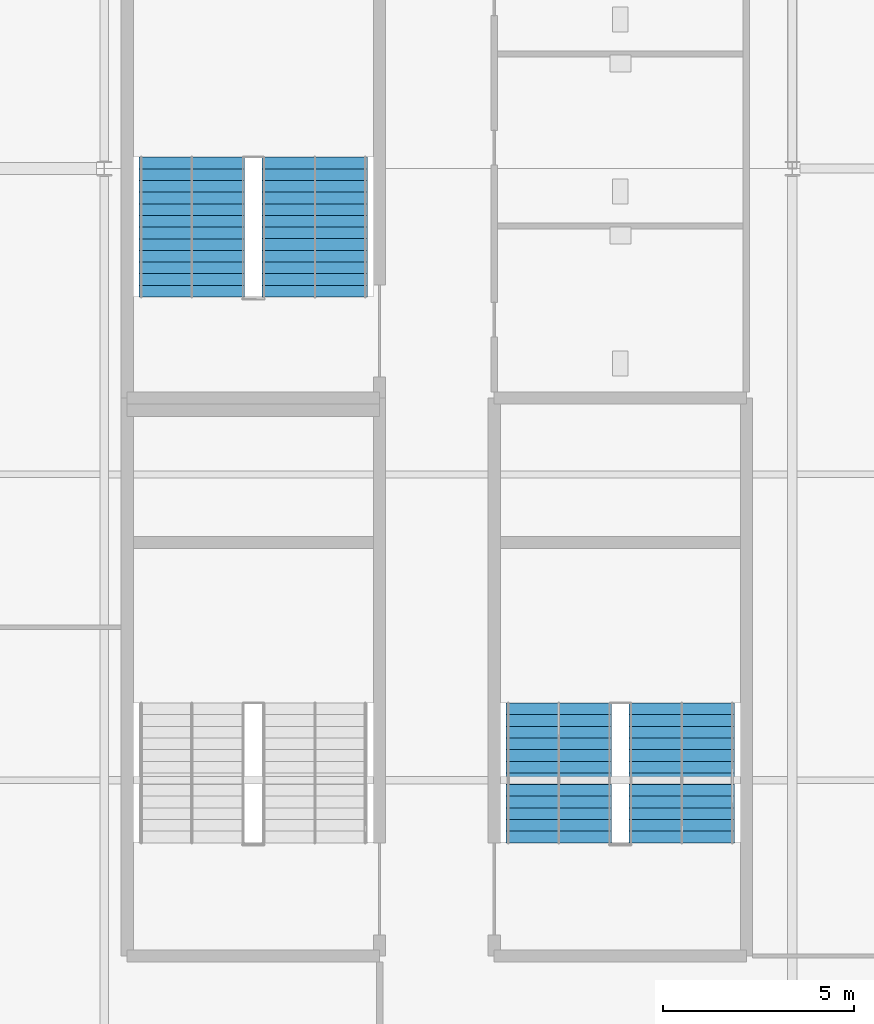
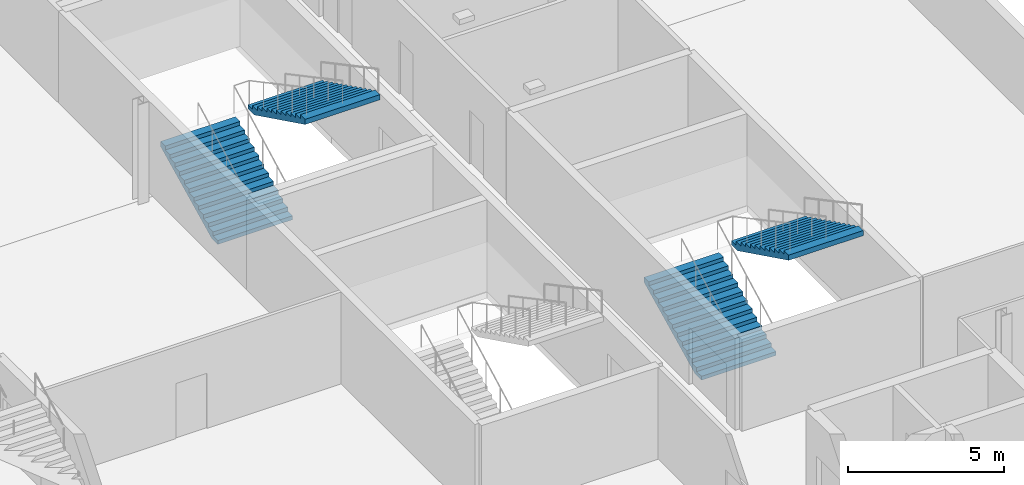
# One storey, part 94 of 105: 4 stair flights, 2 elements without a shape of their own.
"""IFC4 building model written with IfcOpenShell, lengths in metres."""

from ifc_helpers import new_model, si_unit, direction, frame, origin, place, context, subcontext, project, spatial, polygons, material, type_object, element, aggregate, save


model = new_model("IFC4")

# Units and contexts
model_context = context("Model", 3, precision=1e-05, world=origin(), true_north=direction((0.0, 1.0)))
body_context = subcontext(model_context, "Body", "Model", "MODEL_VIEW")
ifc_project = project(units=[si_unit("LENGTHUNIT", "METRE"), si_unit("AREAUNIT", "SQUARE_METRE"), si_unit("VOLUMEUNIT", "CUBIC_METRE"), si_unit("PLANEANGLEUNIT", "RADIAN"), si_unit("MASSUNIT", "GRAM", prefix="KILO")], contexts=[model_context])

# Site, building, storey
site_placement = place(None, origin())
site = spatial("IfcSite", under=ifc_project, at=site_placement, CompositionType="ELEMENT")
building_placement = place(site_placement, origin())
building = spatial("IfcBuilding", under=site, at=building_placement, Name="Kisiwana Market Hall", CompositionType="ELEMENT")
storey_placement = place(building_placement, frame((0.0, 0.0, 21.60009765625)))
storey = spatial("IfcBuildingStorey", under=building, at=storey_placement, Name="L04", CompositionType="ELEMENT", Elevation=21.60009765625)

# Stair, stair flights
ifc_material_1 = material(Name="Concrete C32/40", Category="concrete")
stair_type = type_object("IfcStairType", Name="ST-ESC-3900", PredefinedType="TWO_STRAIGHT_RUN_STAIR", material=ifc_material_1)
stair_1_placement = place(storey_placement, origin())
stair_1 = element("IfcStair", 1, at=stair_1_placement, inside=storey, type_object=stair_type, Name="Escape stair ST-E3-L04", PredefinedType="TWO_STRAIGHT_RUN_STAIR")
ifc_material_2 = material(Name="Concrete C32/40", Category="concrete")
stair_flight_type = type_object("IfcStairFlightType", Name="SF-ESC-3900", PredefinedType="STRAIGHT", material=ifc_material_2)
stair_flight_1_placement = place(storey_placement, frame((182.889892578125, 42.360107421875, 0.0), z_axis=(0.0, 0.0, 1.0), x_axis=(0.0, 1.0, 0.0)))
stair_flight_1 = element("IfcStairFlight", 2, at=stair_flight_1_placement, type_object=stair_flight_type, Name="ST-E3-L04 flight 1", NumberOfRisers=13, NumberOfTreads=12, PredefinedType="STRAIGHT", RiserHeight=0.15, TreadLength=0.305, context=body_context, shape_type="Tessellation", body=[
    polygons([(0.0, -1.380127, 0.0), (0.0, -0.690125, 0.0), (0.0, -0.000122, 0.0), (0.0, 0.68988, 0.0), (0.0, 1.379883, 0.0), (0.0, -1.380127, 0.149902), (0.0, -0.690125, 0.149902), (0.0, -0.000122, 0.149902), (0.0, 0.68988, 0.149902), (0.0, 1.379883, 0.149902), (0.304932, -1.380127, 0.149902), (0.304932, -0.690125, 0.149902), (0.304932, -0.000122, 0.149902), (0.304932, 0.68988, 0.149902), (0.304932, 1.379883, 0.149902), (0.304932, -1.380127, 0.300049), (0.304932, -0.690125, 0.300049), (0.304932, -0.000122, 0.300049), (0.304932, 0.68988, 0.300049), (0.304932, 1.379883, 0.300049), (0.610107, -1.380127, 0.300049), (0.610107, -0.690125, 0.300049), (0.610107, -0.000122, 0.300049), (0.610107, 0.68988, 0.300049), (0.610107, 1.379883, 0.300049), (0.610107, -1.380127, 0.449951), (0.610107, -0.690125, 0.449951), (0.610107, -0.000122, 0.449951), (0.610107, 0.68988, 0.449951), (0.610107, 1.379883, 0.449951), (0.915039, -1.380127, 0.449951), (0.915039, -0.690125, 0.449951), (0.915039, -0.000122, 0.449951), (0.915039, 0.68988, 0.449951), (0.915039, 1.379883, 0.449951), (0.915039, -1.380127, 0.600098), (0.915039, -0.690125, 0.600098), (0.915039, -0.000122, 0.600098), (0.915039, 0.68988, 0.600098), (0.915039, 1.379883, 0.600098), (1.219971, -1.380127, 0.600098), (1.219971, -0.690125, 0.600098), (1.219971, -0.000122, 0.600098), (1.219971, 0.68988, 0.600098), (1.219971, 1.379883, 0.600098), (1.219971, -1.380127, 0.75), (1.219971, -0.690125, 0.75), (1.219971, -0.000122, 0.75), (1.219971, 0.68988, 0.75), (1.219971, 1.379883, 0.75), (1.524902, -1.380127, 0.75), (1.524902, -0.690125, 0.75), (1.524902, -0.000122, 0.75), (1.524902, 0.68988, 0.75), (1.524902, 1.379883, 0.75), (1.524902, -1.380127, 0.899902), (1.524902, -0.690125, 0.899902), (1.524902, -0.000122, 0.899902), (1.524902, 0.68988, 0.899902), (1.524902, 1.379883, 0.899902), (1.830078, -1.380127, 0.899902), (1.830078, -0.690125, 0.899902), (1.830078, -0.000122, 0.899902), (1.830078, 0.68988, 0.899902), (1.830078, 1.379883, 0.899902), (1.830078, -1.380127, 1.050049), (1.830078, -0.690125, 1.050049), (1.830078, -0.000122, 1.050049), (1.830078, 0.68988, 1.050049), (1.830078, 1.379883, 1.050049), (2.13501, -1.380127, 1.050049), (2.13501, -0.690125, 1.050049), (2.13501, -0.000122, 1.050049), (2.13501, 0.68988, 1.050049), (2.13501, 1.379883, 1.050049), (2.13501, -1.380127, 1.199951), (2.13501, -0.690125, 1.199951), (2.13501, -0.000122, 1.199951), (2.13501, 0.68988, 1.199951), (2.13501, 1.379883, 1.199951), (2.439941, -1.380127, 1.199951), (2.439941, -0.690125, 1.199951), (2.439941, -0.000122, 1.199951), (2.439941, 0.68988, 1.199951), (2.439941, 1.379883, 1.199951), (2.439941, -1.380127, 1.350098), (2.439941, -0.690125, 1.350098), (2.439941, -0.000122, 1.350098), (2.439941, 0.68988, 1.350098), (2.439941, 1.379883, 1.350098), (2.745117, -1.380127, 1.350098), (2.745117, -0.690125, 1.350098), (2.745117, -0.000122, 1.350098), (2.745117, 0.68988, 1.350098), (2.745117, 1.379883, 1.350098), (2.745117, -1.380127, 1.5), (2.745117, -0.690125, 1.5), (2.745117, -0.000122, 1.5), (2.745117, 0.68988, 1.5), (2.745117, 1.379883, 1.5), (3.050049, -1.380127, 1.5), (3.050049, -0.690125, 1.5), (3.050049, -0.000122, 1.5), (3.050049, 0.68988, 1.5), (3.050049, 1.379883, 1.5), (3.050049, -1.380127, 1.649902), (3.050049, -0.690125, 1.649902), (3.050049, -0.000122, 1.649902), (3.050049, 0.68988, 1.649902), (3.050049, 1.379883, 1.649902), (3.35498, -1.380127, 1.649902), (3.35498, -0.690125, 1.649902), (3.35498, -0.000122, 1.649902), (3.35498, 0.68988, 1.649902), (3.35498, 1.379883, 1.649902), (3.35498, -1.380127, 1.800049), (3.35498, -0.690125, 1.800049), (3.35498, -0.000122, 1.800049), (3.35498, 0.68988, 1.800049), (3.35498, 1.379883, 1.800049), (3.659912, -1.380127, 1.800049), (3.659912, -0.690125, 1.800049), (3.659912, -0.000122, 1.800049), (3.659912, 0.68988, 1.800049), (3.659912, 1.379883, 1.800049), (3.659912, -1.380127, 1.599365), (3.659912, -0.690125, 1.599365), (3.659912, -0.000122, 1.599365), (3.659912, 0.68988, 1.599365), (3.659912, 1.379883, 1.599365), (0.407715, -1.380127, 0.0), (0.407715, -0.690125, 0.0), (0.407715, -0.000122, 0.0), (0.407715, 0.68988, 0.0), (0.407715, 1.379883, 0.0)], [[[1, 6, 7, 2]], [[2, 7, 8, 3]], [[3, 8, 9, 4]], [[4, 9, 10, 5]], [[6, 11, 12, 7]], [[7, 12, 13, 8]], [[8, 13, 14, 9]], [[9, 14, 15, 10]], [[11, 16, 17, 12]], [[12, 17, 18, 13]], [[13, 18, 19, 14]], [[14, 19, 20, 15]], [[16, 21, 22, 17]], [[17, 22, 23, 18]], [[18, 23, 24, 19]], [[19, 24, 25, 20]], [[21, 26, 27, 22]], [[22, 27, 28, 23]], [[23, 28, 29, 24]], [[24, 29, 30, 25]], [[26, 31, 32, 27]], [[27, 32, 33, 28]], [[28, 33, 34, 29]], [[29, 34, 35, 30]], [[31, 36, 37, 32]], [[32, 37, 38, 33]], [[33, 38, 39, 34]], [[34, 39, 40, 35]], [[36, 41, 42, 37]], [[37, 42, 43, 38]], [[38, 43, 44, 39]], [[39, 44, 45, 40]], [[41, 46, 47, 42]], [[42, 47, 48, 43]], [[43, 48, 49, 44]], [[44, 49, 50, 45]], [[46, 51, 52, 47]], [[47, 52, 53, 48]], [[48, 53, 54, 49]], [[49, 54, 55, 50]], [[51, 56, 57, 52]], [[52, 57, 58, 53]], [[53, 58, 59, 54]], [[54, 59, 60, 55]], [[56, 61, 62, 57]], [[57, 62, 63, 58]], [[58, 63, 64, 59]], [[59, 64, 65, 60]], [[61, 66, 67, 62]], [[62, 67, 68, 63]], [[63, 68, 69, 64]], [[64, 69, 70, 65]], [[66, 71, 72, 67]], [[67, 72, 73, 68]], [[68, 73, 74, 69]], [[69, 74, 75, 70]], [[71, 76, 77, 72]], [[72, 77, 78, 73]], [[73, 78, 79, 74]], [[74, 79, 80, 75]], [[76, 81, 82, 77]], [[77, 82, 83, 78]], [[78, 83, 84, 79]], [[79, 84, 85, 80]], [[81, 86, 87, 82]], [[82, 87, 88, 83]], [[83, 88, 89, 84]], [[84, 89, 90, 85]], [[86, 91, 92, 87]], [[87, 92, 93, 88]], [[88, 93, 94, 89]], [[89, 94, 95, 90]], [[91, 96, 97, 92]], [[92, 97, 98, 93]], [[93, 98, 99, 94]], [[94, 99, 100, 95]], [[96, 101, 102, 97]], [[97, 102, 103, 98]], [[98, 103, 104, 99]], [[99, 104, 105, 100]], [[101, 106, 107, 102]], [[102, 107, 108, 103]], [[103, 108, 109, 104]], [[104, 109, 110, 105]], [[106, 111, 112, 107]], [[107, 112, 113, 108]], [[108, 113, 114, 109]], [[109, 114, 115, 110]], [[111, 116, 117, 112]], [[112, 117, 118, 113]], [[113, 118, 119, 114]], [[114, 119, 120, 115]], [[116, 121, 122, 117]], [[117, 122, 123, 118]], [[118, 123, 124, 119]], [[119, 124, 125, 120]], [[121, 126, 127, 122]], [[122, 127, 128, 123]], [[123, 128, 129, 124]], [[124, 129, 130, 125]], [[126, 131, 132, 127]], [[127, 132, 133, 128]], [[128, 133, 134, 129]], [[129, 134, 135, 130]], [[131, 1, 2, 132]], [[132, 2, 3, 133]], [[133, 3, 4, 134]], [[134, 4, 5, 135]], [[131, 126, 121, 116, 111, 106, 101, 96, 91, 86, 81, 76, 71, 66, 61, 56, 51, 46, 41, 36, 31, 26, 21, 16, 11, 6, 1]], [[5, 10, 15, 20, 25, 30, 35, 40, 45, 50, 55, 60, 65, 70, 75, 80, 85, 90, 95, 100, 105, 110, 115, 120, 125, 130, 135]]], closed=True),
])
stair_flight_2_placement = place(storey_placement, frame((186.110107421875, 46.02001953125, 1.949951171875), z_axis=(0.0, 0.0, 1.0), x_axis=(0.0, -1.0, 0.0)))
stair_flight_2 = element("IfcStairFlight", 3, at=stair_flight_2_placement, type_object=stair_flight_type, Name="ST-E3-L04 flight 2", NumberOfRisers=13, NumberOfTreads=12, PredefinedType="STRAIGHT", RiserHeight=0.15, TreadLength=0.305, context=body_context, shape_type="Tessellation", body=[
    polygons([(0.0, -1.380127, 0.0), (0.0, -0.690125, 0.0), (0.0, -0.000122, 0.0), (0.0, 0.68988, 0.0), (0.0, 1.379883, 0.0), (0.0, -1.380127, 0.149902), (0.0, -0.690125, 0.149902), (0.0, -0.000122, 0.149902), (0.0, 0.68988, 0.149902), (0.0, 1.379883, 0.149902), (0.304932, -1.380127, 0.149902), (0.304932, -0.690125, 0.149902), (0.304932, -0.000122, 0.149902), (0.304932, 0.68988, 0.149902), (0.304932, 1.379883, 0.149902), (0.304932, -1.380127, 0.300049), (0.304932, -0.690125, 0.300049), (0.304932, -0.000122, 0.300049), (0.304932, 0.68988, 0.300049), (0.304932, 1.379883, 0.300049), (0.610107, -1.380127, 0.300049), (0.610107, -0.690125, 0.300049), (0.610107, -0.000122, 0.300049), (0.610107, 0.68988, 0.300049), (0.610107, 1.379883, 0.300049), (0.610107, -1.380127, 0.449951), (0.610107, -0.690125, 0.449951), (0.610107, -0.000122, 0.449951), (0.610107, 0.68988, 0.449951), (0.610107, 1.379883, 0.449951), (0.915039, -1.380127, 0.449951), (0.915039, -0.690125, 0.449951), (0.915039, -0.000122, 0.449951), (0.915039, 0.68988, 0.449951), (0.915039, 1.379883, 0.449951), (0.915039, -1.380127, 0.600098), (0.915039, -0.690125, 0.600098), (0.915039, -0.000122, 0.600098), (0.915039, 0.68988, 0.600098), (0.915039, 1.379883, 0.600098), (1.219971, -1.380127, 0.600098), (1.219971, -0.690125, 0.600098), (1.219971, -0.000122, 0.600098), (1.219971, 0.68988, 0.600098), (1.219971, 1.379883, 0.600098), (1.219971, -1.380127, 0.75), (1.219971, -0.690125, 0.75), (1.219971, -0.000122, 0.75), (1.219971, 0.68988, 0.75), (1.219971, 1.379883, 0.75), (1.524902, -1.380127, 0.75), (1.524902, -0.690125, 0.75), (1.524902, -0.000122, 0.75), (1.524902, 0.68988, 0.75), (1.524902, 1.379883, 0.75), (1.524902, -1.380127, 0.899902), (1.524902, -0.690125, 0.899902), (1.524902, -0.000122, 0.899902), (1.524902, 0.68988, 0.899902), (1.524902, 1.379883, 0.899902), (1.830078, -1.380127, 0.899902), (1.830078, -0.690125, 0.899902), (1.830078, -0.000122, 0.899902), (1.830078, 0.68988, 0.899902), (1.830078, 1.379883, 0.899902), (1.830078, -1.380127, 1.050049), (1.830078, -0.690125, 1.050049), (1.830078, -0.000122, 1.050049), (1.830078, 0.68988, 1.050049), (1.830078, 1.379883, 1.050049), (2.13501, -1.380127, 1.050049), (2.13501, -0.690125, 1.050049), (2.13501, -0.000122, 1.050049), (2.13501, 0.68988, 1.050049), (2.13501, 1.379883, 1.050049), (2.13501, -1.380127, 1.199951), (2.13501, -0.690125, 1.199951), (2.13501, -0.000122, 1.199951), (2.13501, 0.68988, 1.199951), (2.13501, 1.379883, 1.199951), (2.439941, -1.380127, 1.199951), (2.439941, -0.690125, 1.199951), (2.439941, -0.000122, 1.199951), (2.439941, 0.68988, 1.199951), (2.439941, 1.379883, 1.199951), (2.439941, -1.380127, 1.350098), (2.439941, -0.690125, 1.350098), (2.439941, -0.000122, 1.350098), (2.439941, 0.68988, 1.350098), (2.439941, 1.379883, 1.350098), (2.745117, -1.380127, 1.350098), (2.745117, -0.690125, 1.350098), (2.745117, -0.000122, 1.350098), (2.745117, 0.68988, 1.350098), (2.745117, 1.379883, 1.350098), (2.745117, -1.380127, 1.5), (2.745117, -0.690125, 1.5), (2.745117, -0.000122, 1.5), (2.745117, 0.68988, 1.5), (2.745117, 1.379883, 1.5), (3.050049, -1.380127, 1.5), (3.050049, -0.690125, 1.5), (3.050049, -0.000122, 1.5), (3.050049, 0.68988, 1.5), (3.050049, 1.379883, 1.5), (3.050049, -1.380127, 1.649902), (3.050049, -0.690125, 1.649902), (3.050049, -0.000122, 1.649902), (3.050049, 0.68988, 1.649902), (3.050049, 1.379883, 1.649902), (3.35498, -1.380127, 1.649902), (3.35498, -0.690125, 1.649902), (3.35498, -0.000122, 1.649902), (3.35498, 0.68988, 1.649902), (3.35498, 1.379883, 1.649902), (3.35498, -1.380127, 1.800049), (3.35498, -0.690125, 1.800049), (3.35498, -0.000122, 1.800049), (3.35498, 0.68988, 1.800049), (3.35498, 1.379883, 1.800049), (3.659912, -1.380127, 1.800049), (3.659912, -0.690125, 1.800049), (3.659912, -0.000122, 1.800049), (3.659912, 0.68988, 1.800049), (3.659912, 1.379883, 1.800049), (3.659912, -1.380127, 1.599365), (3.659912, -0.690125, 1.599365), (3.659912, -0.000122, 1.599365), (3.659912, 0.68988, 1.599365), (3.659912, 1.379883, 1.599365), (0.407715, -1.380127, 0.0), (0.407715, -0.690125, 0.0), (0.407715, -0.000122, 0.0), (0.407715, 0.68988, 0.0), (0.407715, 1.379883, 0.0)], [[[1, 6, 7, 2]], [[2, 7, 8, 3]], [[3, 8, 9, 4]], [[4, 9, 10, 5]], [[6, 11, 12, 7]], [[7, 12, 13, 8]], [[8, 13, 14, 9]], [[9, 14, 15, 10]], [[11, 16, 17, 12]], [[12, 17, 18, 13]], [[13, 18, 19, 14]], [[14, 19, 20, 15]], [[16, 21, 22, 17]], [[17, 22, 23, 18]], [[18, 23, 24, 19]], [[19, 24, 25, 20]], [[21, 26, 27, 22]], [[22, 27, 28, 23]], [[23, 28, 29, 24]], [[24, 29, 30, 25]], [[26, 31, 32, 27]], [[27, 32, 33, 28]], [[28, 33, 34, 29]], [[29, 34, 35, 30]], [[31, 36, 37, 32]], [[32, 37, 38, 33]], [[33, 38, 39, 34]], [[34, 39, 40, 35]], [[36, 41, 42, 37]], [[37, 42, 43, 38]], [[38, 43, 44, 39]], [[39, 44, 45, 40]], [[41, 46, 47, 42]], [[42, 47, 48, 43]], [[43, 48, 49, 44]], [[44, 49, 50, 45]], [[46, 51, 52, 47]], [[47, 52, 53, 48]], [[48, 53, 54, 49]], [[49, 54, 55, 50]], [[51, 56, 57, 52]], [[52, 57, 58, 53]], [[53, 58, 59, 54]], [[54, 59, 60, 55]], [[56, 61, 62, 57]], [[57, 62, 63, 58]], [[58, 63, 64, 59]], [[59, 64, 65, 60]], [[61, 66, 67, 62]], [[62, 67, 68, 63]], [[63, 68, 69, 64]], [[64, 69, 70, 65]], [[66, 71, 72, 67]], [[67, 72, 73, 68]], [[68, 73, 74, 69]], [[69, 74, 75, 70]], [[71, 76, 77, 72]], [[72, 77, 78, 73]], [[73, 78, 79, 74]], [[74, 79, 80, 75]], [[76, 81, 82, 77]], [[77, 82, 83, 78]], [[78, 83, 84, 79]], [[79, 84, 85, 80]], [[81, 86, 87, 82]], [[82, 87, 88, 83]], [[83, 88, 89, 84]], [[84, 89, 90, 85]], [[86, 91, 92, 87]], [[87, 92, 93, 88]], [[88, 93, 94, 89]], [[89, 94, 95, 90]], [[91, 96, 97, 92]], [[92, 97, 98, 93]], [[93, 98, 99, 94]], [[94, 99, 100, 95]], [[96, 101, 102, 97]], [[97, 102, 103, 98]], [[98, 103, 104, 99]], [[99, 104, 105, 100]], [[101, 106, 107, 102]], [[102, 107, 108, 103]], [[103, 108, 109, 104]], [[104, 109, 110, 105]], [[106, 111, 112, 107]], [[107, 112, 113, 108]], [[108, 113, 114, 109]], [[109, 114, 115, 110]], [[111, 116, 117, 112]], [[112, 117, 118, 113]], [[113, 118, 119, 114]], [[114, 119, 120, 115]], [[116, 121, 122, 117]], [[117, 122, 123, 118]], [[118, 123, 124, 119]], [[119, 124, 125, 120]], [[121, 126, 127, 122]], [[122, 127, 128, 123]], [[123, 128, 129, 124]], [[124, 129, 130, 125]], [[126, 131, 132, 127]], [[127, 132, 133, 128]], [[128, 133, 134, 129]], [[129, 134, 135, 130]], [[131, 1, 2, 132]], [[132, 2, 3, 133]], [[133, 3, 4, 134]], [[134, 4, 5, 135]], [[131, 126, 121, 116, 111, 106, 101, 96, 91, 86, 81, 76, 71, 66, 61, 56, 51, 46, 41, 36, 31, 26, 21, 16, 11, 6, 1]], [[5, 10, 15, 20, 25, 30, 35, 40, 45, 50, 55, 60, 65, 70, 75, 80, 85, 90, 95, 100, 105, 110, 115, 120, 125, 130, 135]]], closed=True),
])
aggregate(stair_1, [stair_flight_1, stair_flight_2])

stair_2_placement = place(storey_placement, origin())
stair_2 = element("IfcStair", 4, at=stair_2_placement, inside=storey, type_object=stair_type, Name="Escape stair ST-E5-L04", PredefinedType="TWO_STRAIGHT_RUN_STAIR")
stair_flight_3_placement = place(storey_placement, frame((173.2900390625, 56.639892578125, 0.0), z_axis=(0.0, 0.0, 1.0), x_axis=(0.0, 1.0, 0.0)))
stair_flight_3 = element("IfcStairFlight", 5, at=stair_flight_3_placement, type_object=stair_flight_type, Name="ST-E5-L04 flight 1", NumberOfRisers=13, NumberOfTreads=12, PredefinedType="STRAIGHT", RiserHeight=0.15, TreadLength=0.305, context=body_context, shape_type="Tessellation", body=[
    polygons([(0.0, -1.380127, 0.0), (0.0, -0.690125, 0.0), (0.0, -0.000122, 0.0), (0.0, 0.68988, 0.0), (0.0, 1.379883, 0.0), (0.0, -1.380127, 0.149902), (0.0, -0.690125, 0.149902), (0.0, -0.000122, 0.149902), (0.0, 0.68988, 0.149902), (0.0, 1.379883, 0.149902), (0.304932, -1.380127, 0.149902), (0.304932, -0.690125, 0.149902), (0.304932, -0.000122, 0.149902), (0.304932, 0.68988, 0.149902), (0.304932, 1.379883, 0.149902), (0.304932, -1.380127, 0.300049), (0.304932, -0.690125, 0.300049), (0.304932, -0.000122, 0.300049), (0.304932, 0.68988, 0.300049), (0.304932, 1.379883, 0.300049), (0.610107, -1.380127, 0.300049), (0.610107, -0.690125, 0.300049), (0.610107, -0.000122, 0.300049), (0.610107, 0.68988, 0.300049), (0.610107, 1.379883, 0.300049), (0.610107, -1.380127, 0.449951), (0.610107, -0.690125, 0.449951), (0.610107, -0.000122, 0.449951), (0.610107, 0.68988, 0.449951), (0.610107, 1.379883, 0.449951), (0.915039, -1.380127, 0.449951), (0.915039, -0.690125, 0.449951), (0.915039, -0.000122, 0.449951), (0.915039, 0.68988, 0.449951), (0.915039, 1.379883, 0.449951), (0.915039, -1.380127, 0.600098), (0.915039, -0.690125, 0.600098), (0.915039, -0.000122, 0.600098), (0.915039, 0.68988, 0.600098), (0.915039, 1.379883, 0.600098), (1.219971, -1.380127, 0.600098), (1.219971, -0.690125, 0.600098), (1.219971, -0.000122, 0.600098), (1.219971, 0.68988, 0.600098), (1.219971, 1.379883, 0.600098), (1.219971, -1.380127, 0.75), (1.219971, -0.690125, 0.75), (1.219971, -0.000122, 0.75), (1.219971, 0.68988, 0.75), (1.219971, 1.379883, 0.75), (1.524902, -1.380127, 0.75), (1.524902, -0.690125, 0.75), (1.524902, -0.000122, 0.75), (1.524902, 0.68988, 0.75), (1.524902, 1.379883, 0.75), (1.524902, -1.380127, 0.899902), (1.524902, -0.690125, 0.899902), (1.524902, -0.000122, 0.899902), (1.524902, 0.68988, 0.899902), (1.524902, 1.379883, 0.899902), (1.830078, -1.380127, 0.899902), (1.830078, -0.690125, 0.899902), (1.830078, -0.000122, 0.899902), (1.830078, 0.68988, 0.899902), (1.830078, 1.379883, 0.899902), (1.830078, -1.380127, 1.050049), (1.830078, -0.690125, 1.050049), (1.830078, -0.000122, 1.050049), (1.830078, 0.68988, 1.050049), (1.830078, 1.379883, 1.050049), (2.13501, -1.380127, 1.050049), (2.13501, -0.690125, 1.050049), (2.13501, -0.000122, 1.050049), (2.13501, 0.68988, 1.050049), (2.13501, 1.379883, 1.050049), (2.13501, -1.380127, 1.199951), (2.13501, -0.690125, 1.199951), (2.13501, -0.000122, 1.199951), (2.13501, 0.68988, 1.199951), (2.13501, 1.379883, 1.199951), (2.439941, -1.380127, 1.199951), (2.439941, -0.690125, 1.199951), (2.439941, -0.000122, 1.199951), (2.439941, 0.68988, 1.199951), (2.439941, 1.379883, 1.199951), (2.439941, -1.380127, 1.350098), (2.439941, -0.690125, 1.350098), (2.439941, -0.000122, 1.350098), (2.439941, 0.68988, 1.350098), (2.439941, 1.379883, 1.350098), (2.745117, -1.380127, 1.350098), (2.745117, -0.690125, 1.350098), (2.745117, -0.000122, 1.350098), (2.745117, 0.68988, 1.350098), (2.745117, 1.379883, 1.350098), (2.745117, -1.380127, 1.5), (2.745117, -0.690125, 1.5), (2.745117, -0.000122, 1.5), (2.745117, 0.68988, 1.5), (2.745117, 1.379883, 1.5), (3.050049, -1.380127, 1.5), (3.050049, -0.690125, 1.5), (3.050049, -0.000122, 1.5), (3.050049, 0.68988, 1.5), (3.050049, 1.379883, 1.5), (3.050049, -1.380127, 1.649902), (3.050049, -0.690125, 1.649902), (3.050049, -0.000122, 1.649902), (3.050049, 0.68988, 1.649902), (3.050049, 1.379883, 1.649902), (3.35498, -1.380127, 1.649902), (3.35498, -0.690125, 1.649902), (3.35498, -0.000122, 1.649902), (3.35498, 0.68988, 1.649902), (3.35498, 1.379883, 1.649902), (3.35498, -1.380127, 1.800049), (3.35498, -0.690125, 1.800049), (3.35498, -0.000122, 1.800049), (3.35498, 0.68988, 1.800049), (3.35498, 1.379883, 1.800049), (3.659912, -1.380127, 1.800049), (3.659912, -0.690125, 1.800049), (3.659912, -0.000122, 1.800049), (3.659912, 0.68988, 1.800049), (3.659912, 1.379883, 1.800049), (3.659912, -1.380127, 1.599365), (3.659912, -0.690125, 1.599365), (3.659912, -0.000122, 1.599365), (3.659912, 0.68988, 1.599365), (3.659912, 1.379883, 1.599365), (0.407715, -1.380127, 0.0), (0.407715, -0.690125, 0.0), (0.407715, -0.000122, 0.0), (0.407715, 0.68988, 0.0), (0.407715, 1.379883, 0.0)], [[[1, 6, 7, 2]], [[2, 7, 8, 3]], [[3, 8, 9, 4]], [[4, 9, 10, 5]], [[6, 11, 12, 7]], [[7, 12, 13, 8]], [[8, 13, 14, 9]], [[9, 14, 15, 10]], [[11, 16, 17, 12]], [[12, 17, 18, 13]], [[13, 18, 19, 14]], [[14, 19, 20, 15]], [[16, 21, 22, 17]], [[17, 22, 23, 18]], [[18, 23, 24, 19]], [[19, 24, 25, 20]], [[21, 26, 27, 22]], [[22, 27, 28, 23]], [[23, 28, 29, 24]], [[24, 29, 30, 25]], [[26, 31, 32, 27]], [[27, 32, 33, 28]], [[28, 33, 34, 29]], [[29, 34, 35, 30]], [[31, 36, 37, 32]], [[32, 37, 38, 33]], [[33, 38, 39, 34]], [[34, 39, 40, 35]], [[36, 41, 42, 37]], [[37, 42, 43, 38]], [[38, 43, 44, 39]], [[39, 44, 45, 40]], [[41, 46, 47, 42]], [[42, 47, 48, 43]], [[43, 48, 49, 44]], [[44, 49, 50, 45]], [[46, 51, 52, 47]], [[47, 52, 53, 48]], [[48, 53, 54, 49]], [[49, 54, 55, 50]], [[51, 56, 57, 52]], [[52, 57, 58, 53]], [[53, 58, 59, 54]], [[54, 59, 60, 55]], [[56, 61, 62, 57]], [[57, 62, 63, 58]], [[58, 63, 64, 59]], [[59, 64, 65, 60]], [[61, 66, 67, 62]], [[62, 67, 68, 63]], [[63, 68, 69, 64]], [[64, 69, 70, 65]], [[66, 71, 72, 67]], [[67, 72, 73, 68]], [[68, 73, 74, 69]], [[69, 74, 75, 70]], [[71, 76, 77, 72]], [[72, 77, 78, 73]], [[73, 78, 79, 74]], [[74, 79, 80, 75]], [[76, 81, 82, 77]], [[77, 82, 83, 78]], [[78, 83, 84, 79]], [[79, 84, 85, 80]], [[81, 86, 87, 82]], [[82, 87, 88, 83]], [[83, 88, 89, 84]], [[84, 89, 90, 85]], [[86, 91, 92, 87]], [[87, 92, 93, 88]], [[88, 93, 94, 89]], [[89, 94, 95, 90]], [[91, 96, 97, 92]], [[92, 97, 98, 93]], [[93, 98, 99, 94]], [[94, 99, 100, 95]], [[96, 101, 102, 97]], [[97, 102, 103, 98]], [[98, 103, 104, 99]], [[99, 104, 105, 100]], [[101, 106, 107, 102]], [[102, 107, 108, 103]], [[103, 108, 109, 104]], [[104, 109, 110, 105]], [[106, 111, 112, 107]], [[107, 112, 113, 108]], [[108, 113, 114, 109]], [[109, 114, 115, 110]], [[111, 116, 117, 112]], [[112, 117, 118, 113]], [[113, 118, 119, 114]], [[114, 119, 120, 115]], [[116, 121, 122, 117]], [[117, 122, 123, 118]], [[118, 123, 124, 119]], [[119, 124, 125, 120]], [[121, 126, 127, 122]], [[122, 127, 128, 123]], [[123, 128, 129, 124]], [[124, 129, 130, 125]], [[126, 131, 132, 127]], [[127, 132, 133, 128]], [[128, 133, 134, 129]], [[129, 134, 135, 130]], [[131, 1, 2, 132]], [[132, 2, 3, 133]], [[133, 3, 4, 134]], [[134, 4, 5, 135]], [[131, 126, 121, 116, 111, 106, 101, 96, 91, 86, 81, 76, 71, 66, 61, 56, 51, 46, 41, 36, 31, 26, 21, 16, 11, 6, 1]], [[5, 10, 15, 20, 25, 30, 35, 40, 45, 50, 55, 60, 65, 70, 75, 80, 85, 90, 95, 100, 105, 110, 115, 120, 125, 130, 135]]], closed=True),
])
stair_flight_4_placement = place(storey_placement, frame((176.510009765625, 60.300048828125, 1.949951171875), z_axis=(0.0, 0.0, 1.0), x_axis=(0.0, -1.0, 0.0)))
stair_flight_4 = element("IfcStairFlight", 6, at=stair_flight_4_placement, type_object=stair_flight_type, Name="ST-E5-L04 flight 2", NumberOfRisers=13, NumberOfTreads=12, PredefinedType="STRAIGHT", RiserHeight=0.15, TreadLength=0.305, context=body_context, shape_type="Tessellation", body=[
    polygons([(0.0, -1.380127, 0.0), (0.0, -0.690125, 0.0), (0.0, -0.000122, 0.0), (0.0, 0.68988, 0.0), (0.0, 1.379883, 0.0), (0.0, -1.380127, 0.149902), (0.0, -0.690125, 0.149902), (0.0, -0.000122, 0.149902), (0.0, 0.68988, 0.149902), (0.0, 1.379883, 0.149902), (0.304932, -1.380127, 0.149902), (0.304932, -0.690125, 0.149902), (0.304932, -0.000122, 0.149902), (0.304932, 0.68988, 0.149902), (0.304932, 1.379883, 0.149902), (0.304932, -1.380127, 0.300049), (0.304932, -0.690125, 0.300049), (0.304932, -0.000122, 0.300049), (0.304932, 0.68988, 0.300049), (0.304932, 1.379883, 0.300049), (0.610107, -1.380127, 0.300049), (0.610107, -0.690125, 0.300049), (0.610107, -0.000122, 0.300049), (0.610107, 0.68988, 0.300049), (0.610107, 1.379883, 0.300049), (0.610107, -1.380127, 0.449951), (0.610107, -0.690125, 0.449951), (0.610107, -0.000122, 0.449951), (0.610107, 0.68988, 0.449951), (0.610107, 1.379883, 0.449951), (0.915039, -1.380127, 0.449951), (0.915039, -0.690125, 0.449951), (0.915039, -0.000122, 0.449951), (0.915039, 0.68988, 0.449951), (0.915039, 1.379883, 0.449951), (0.915039, -1.380127, 0.600098), (0.915039, -0.690125, 0.600098), (0.915039, -0.000122, 0.600098), (0.915039, 0.68988, 0.600098), (0.915039, 1.379883, 0.600098), (1.219971, -1.380127, 0.600098), (1.219971, -0.690125, 0.600098), (1.219971, -0.000122, 0.600098), (1.219971, 0.68988, 0.600098), (1.219971, 1.379883, 0.600098), (1.219971, -1.380127, 0.75), (1.219971, -0.690125, 0.75), (1.219971, -0.000122, 0.75), (1.219971, 0.68988, 0.75), (1.219971, 1.379883, 0.75), (1.524902, -1.380127, 0.75), (1.524902, -0.690125, 0.75), (1.524902, -0.000122, 0.75), (1.524902, 0.68988, 0.75), (1.524902, 1.379883, 0.75), (1.524902, -1.380127, 0.899902), (1.524902, -0.690125, 0.899902), (1.524902, -0.000122, 0.899902), (1.524902, 0.68988, 0.899902), (1.524902, 1.379883, 0.899902), (1.830078, -1.380127, 0.899902), (1.830078, -0.690125, 0.899902), (1.830078, -0.000122, 0.899902), (1.830078, 0.68988, 0.899902), (1.830078, 1.379883, 0.899902), (1.830078, -1.380127, 1.050049), (1.830078, -0.690125, 1.050049), (1.830078, -0.000122, 1.050049), (1.830078, 0.68988, 1.050049), (1.830078, 1.379883, 1.050049), (2.13501, -1.380127, 1.050049), (2.13501, -0.690125, 1.050049), (2.13501, -0.000122, 1.050049), (2.13501, 0.68988, 1.050049), (2.13501, 1.379883, 1.050049), (2.13501, -1.380127, 1.199951), (2.13501, -0.690125, 1.199951), (2.13501, -0.000122, 1.199951), (2.13501, 0.68988, 1.199951), (2.13501, 1.379883, 1.199951), (2.439941, -1.380127, 1.199951), (2.439941, -0.690125, 1.199951), (2.439941, -0.000122, 1.199951), (2.439941, 0.68988, 1.199951), (2.439941, 1.379883, 1.199951), (2.439941, -1.380127, 1.350098), (2.439941, -0.690125, 1.350098), (2.439941, -0.000122, 1.350098), (2.439941, 0.68988, 1.350098), (2.439941, 1.379883, 1.350098), (2.745117, -1.380127, 1.350098), (2.745117, -0.690125, 1.350098), (2.745117, -0.000122, 1.350098), (2.745117, 0.68988, 1.350098), (2.745117, 1.379883, 1.350098), (2.745117, -1.380127, 1.5), (2.745117, -0.690125, 1.5), (2.745117, -0.000122, 1.5), (2.745117, 0.68988, 1.5), (2.745117, 1.379883, 1.5), (3.050049, -1.380127, 1.5), (3.050049, -0.690125, 1.5), (3.050049, -0.000122, 1.5), (3.050049, 0.68988, 1.5), (3.050049, 1.379883, 1.5), (3.050049, -1.380127, 1.649902), (3.050049, -0.690125, 1.649902), (3.050049, -0.000122, 1.649902), (3.050049, 0.68988, 1.649902), (3.050049, 1.379883, 1.649902), (3.35498, -1.380127, 1.649902), (3.35498, -0.690125, 1.649902), (3.35498, -0.000122, 1.649902), (3.35498, 0.68988, 1.649902), (3.35498, 1.379883, 1.649902), (3.35498, -1.380127, 1.800049), (3.35498, -0.690125, 1.800049), (3.35498, -0.000122, 1.800049), (3.35498, 0.68988, 1.800049), (3.35498, 1.379883, 1.800049), (3.659912, -1.380127, 1.800049), (3.659912, -0.690125, 1.800049), (3.659912, -0.000122, 1.800049), (3.659912, 0.68988, 1.800049), (3.659912, 1.379883, 1.800049), (3.659912, -1.380127, 1.599365), (3.659912, -0.690125, 1.599365), (3.659912, -0.000122, 1.599365), (3.659912, 0.68988, 1.599365), (3.659912, 1.379883, 1.599365), (0.407715, -1.380127, 0.0), (0.407715, -0.690125, 0.0), (0.407715, -0.000122, 0.0), (0.407715, 0.68988, 0.0), (0.407715, 1.379883, 0.0)], [[[1, 6, 7, 2]], [[2, 7, 8, 3]], [[3, 8, 9, 4]], [[4, 9, 10, 5]], [[6, 11, 12, 7]], [[7, 12, 13, 8]], [[8, 13, 14, 9]], [[9, 14, 15, 10]], [[11, 16, 17, 12]], [[12, 17, 18, 13]], [[13, 18, 19, 14]], [[14, 19, 20, 15]], [[16, 21, 22, 17]], [[17, 22, 23, 18]], [[18, 23, 24, 19]], [[19, 24, 25, 20]], [[21, 26, 27, 22]], [[22, 27, 28, 23]], [[23, 28, 29, 24]], [[24, 29, 30, 25]], [[26, 31, 32, 27]], [[27, 32, 33, 28]], [[28, 33, 34, 29]], [[29, 34, 35, 30]], [[31, 36, 37, 32]], [[32, 37, 38, 33]], [[33, 38, 39, 34]], [[34, 39, 40, 35]], [[36, 41, 42, 37]], [[37, 42, 43, 38]], [[38, 43, 44, 39]], [[39, 44, 45, 40]], [[41, 46, 47, 42]], [[42, 47, 48, 43]], [[43, 48, 49, 44]], [[44, 49, 50, 45]], [[46, 51, 52, 47]], [[47, 52, 53, 48]], [[48, 53, 54, 49]], [[49, 54, 55, 50]], [[51, 56, 57, 52]], [[52, 57, 58, 53]], [[53, 58, 59, 54]], [[54, 59, 60, 55]], [[56, 61, 62, 57]], [[57, 62, 63, 58]], [[58, 63, 64, 59]], [[59, 64, 65, 60]], [[61, 66, 67, 62]], [[62, 67, 68, 63]], [[63, 68, 69, 64]], [[64, 69, 70, 65]], [[66, 71, 72, 67]], [[67, 72, 73, 68]], [[68, 73, 74, 69]], [[69, 74, 75, 70]], [[71, 76, 77, 72]], [[72, 77, 78, 73]], [[73, 78, 79, 74]], [[74, 79, 80, 75]], [[76, 81, 82, 77]], [[77, 82, 83, 78]], [[78, 83, 84, 79]], [[79, 84, 85, 80]], [[81, 86, 87, 82]], [[82, 87, 88, 83]], [[83, 88, 89, 84]], [[84, 89, 90, 85]], [[86, 91, 92, 87]], [[87, 92, 93, 88]], [[88, 93, 94, 89]], [[89, 94, 95, 90]], [[91, 96, 97, 92]], [[92, 97, 98, 93]], [[93, 98, 99, 94]], [[94, 99, 100, 95]], [[96, 101, 102, 97]], [[97, 102, 103, 98]], [[98, 103, 104, 99]], [[99, 104, 105, 100]], [[101, 106, 107, 102]], [[102, 107, 108, 103]], [[103, 108, 109, 104]], [[104, 109, 110, 105]], [[106, 111, 112, 107]], [[107, 112, 113, 108]], [[108, 113, 114, 109]], [[109, 114, 115, 110]], [[111, 116, 117, 112]], [[112, 117, 118, 113]], [[113, 118, 119, 114]], [[114, 119, 120, 115]], [[116, 121, 122, 117]], [[117, 122, 123, 118]], [[118, 123, 124, 119]], [[119, 124, 125, 120]], [[121, 126, 127, 122]], [[122, 127, 128, 123]], [[123, 128, 129, 124]], [[124, 129, 130, 125]], [[126, 131, 132, 127]], [[127, 132, 133, 128]], [[128, 133, 134, 129]], [[129, 134, 135, 130]], [[131, 1, 2, 132]], [[132, 2, 3, 133]], [[133, 3, 4, 134]], [[134, 4, 5, 135]], [[131, 126, 121, 116, 111, 106, 101, 96, 91, 86, 81, 76, 71, 66, 61, 56, 51, 46, 41, 36, 31, 26, 21, 16, 11, 6, 1]], [[5, 10, 15, 20, 25, 30, 35, 40, 45, 50, 55, 60, 65, 70, 75, 80, 85, 90, 95, 100, 105, 110, 115, 120, 125, 130, 135]]], closed=True),
])
aggregate(stair_2, [stair_flight_3, stair_flight_4])

save(model, "model.ifc")
